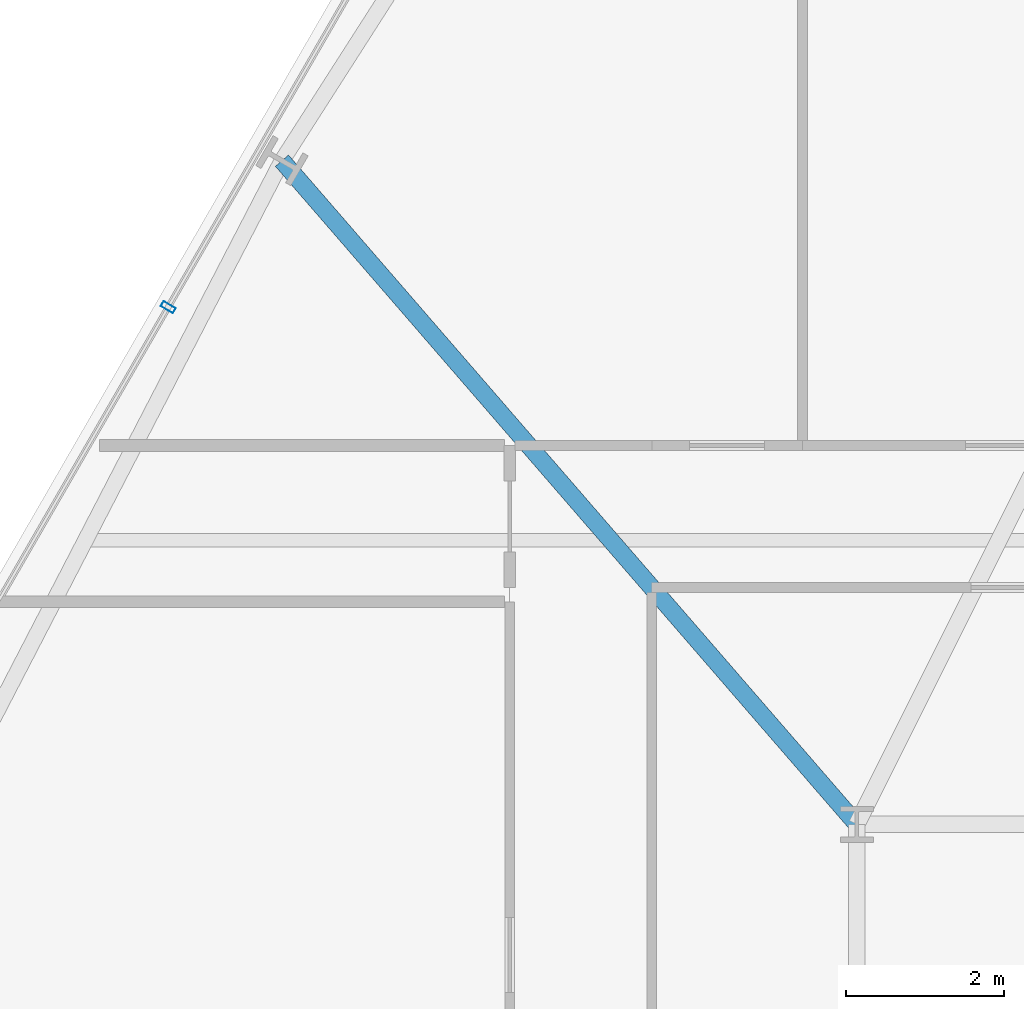
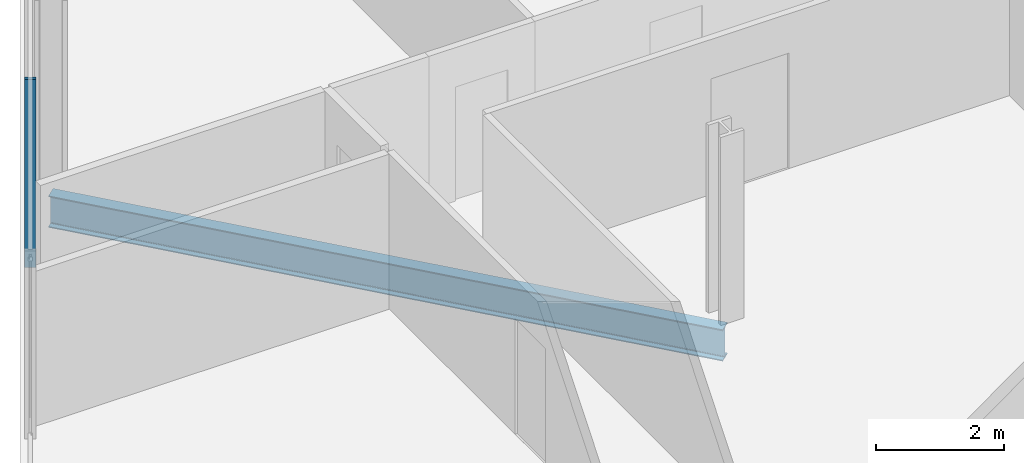
# One storey, part 12 of 33: 1 beam, 1 member, 1 element without a shape of its own.
"""IFC4 building model written with IfcOpenShell, lengths in metres."""

from ifc_helpers import new_model, si_unit, direction, frame, origin, origin_2d, place, context, subcontext, project, spatial, hollow_rectangle, i_section, extrude, material, layer, layer_set, material_profile, profile_set, type_object, element, aggregate, save


model = new_model("IFC4")

# Units and contexts
model_context = context("Model", 3, precision=1e-05, world=origin(), true_north=direction((0.0, 1.0)))
body_context = subcontext(model_context, "Body", "Model", "MODEL_VIEW")
ifc_project = project(units=[si_unit("LENGTHUNIT", "METRE"), si_unit("AREAUNIT", "SQUARE_METRE"), si_unit("VOLUMEUNIT", "CUBIC_METRE"), si_unit("PLANEANGLEUNIT", "RADIAN"), si_unit("MASSUNIT", "GRAM", prefix="KILO")], contexts=[model_context])

# Site, building, storey
site_placement = place(None, origin())
site = spatial("IfcSite", under=ifc_project, at=site_placement, CompositionType="ELEMENT")
building_placement = place(site_placement, origin())
building = spatial("IfcBuilding", under=site, at=building_placement, Name="Ndaravel Arena Tower", CompositionType="ELEMENT")
storey_placement = place(building_placement, frame((0.0, 0.0, 85.39990234375)))
storey = spatial("IfcBuildingStorey", under=building, at=storey_placement, Name="L19", CompositionType="ELEMENT", Elevation=85.39990234375)

# Beam
ifc_material_1 = material(Name="Steel S355", Category="steel")
ifc_material_profile_1 = material_profile(ifc_material_1, i_section(OverallWidth=0.219970703125, OverallDepth=0.60009765625, WebThickness=0.011962890625, FlangeThickness=0.01904296875, FilletRadius=0.02392578125, at=origin_2d()), Name="IPE 600")
ifc_profile_set_1 = profile_set([ifc_material_profile_1], Name="Steel S355")
beam_type = type_object("IfcBeamType", Name="BM-GIRD-IPE600", PredefinedType="BEAM", material=ifc_profile_set_1)
beam_placement = place(storey_placement, frame((26.912841796875, 31.61181640625, -0.52001953125), z_axis=(0.654767668006, -0.755830206418, 0.0), x_axis=(0.755830206418, 0.654767668006, 0.0)))
element("IfcBeam", 1, at=beam_placement, inside=storey, type_object=beam_type, Name="L19 Radial Floor Girder FG-19", PredefinedType="BEAM", context=body_context, shape_type="SweptSolid", body=[
    extrude(i_section(OverallWidth=0.219970703125, OverallDepth=0.60009765625, WebThickness=0.011962890625, FlangeThickness=0.01904296875, FilletRadius=0.02392578125, at=origin_2d()), origin(), (0.0, 0.0, 1.0), 11.12939453125),
])

# Curtain wall, member
ifc_material_2 = material(Name="Aluminium", Category="aluminium")
ifc_layer = layer(ifc_material_2, 0.179931640625)
ifc_layer_set = layer_set([ifc_layer], Name="Aluminium")
curtain_wall_type = type_object("IfcCurtainWallType", Name="CW-SYS-03", PredefinedType="NOTDEFINED", material=ifc_layer_set)
curtain_wall_placement = place(storey_placement, origin())
curtain_wall = element("IfcCurtainWall", 2, at=curtain_wall_placement, inside=storey, type_object=curtain_wall_type, Name="L19 Faceted Crystal Curtain Wall CW-L19-E05", PredefinedType="NOTDEFINED")
ifc_material_3 = material(Name="Aluminium", Category="aluminium")
ifc_material_profile_2 = material_profile(ifc_material_3, hollow_rectangle(XDim=0.074951171875, YDim=0.179931640625, WallThickness=0.00390625, at=origin_2d()), Name="CW MULLION 75x180x4")
ifc_profile_set_2 = profile_set([ifc_material_profile_2], Name="Aluminium")
member_type = type_object("IfcMemberType", Name="MEM-CW-MUL180", PredefinedType="MULLION", material=ifc_profile_set_2)
member_placement = place(storey_placement, frame((25.470703125, 29.754150390625, 0.0), z_axis=(0.0, 0.0, 1.0), x_axis=(-0.5, -0.866025403784, 0.0)))
member = element("IfcMember", 3, at=member_placement, type_object=member_type, Name="CW-L19-E05 Mullion 04", PredefinedType="MULLION", context=body_context, shape_type="SweptSolid", body=[
    extrude(hollow_rectangle(XDim=0.074951171875, YDim=0.179931640625, WallThickness=0.00390625, at=origin_2d()), origin(), (0.0, 0.0, 1.0), 3.580078125),
])
aggregate(curtain_wall, [member])

save(model, "model.ifc")
